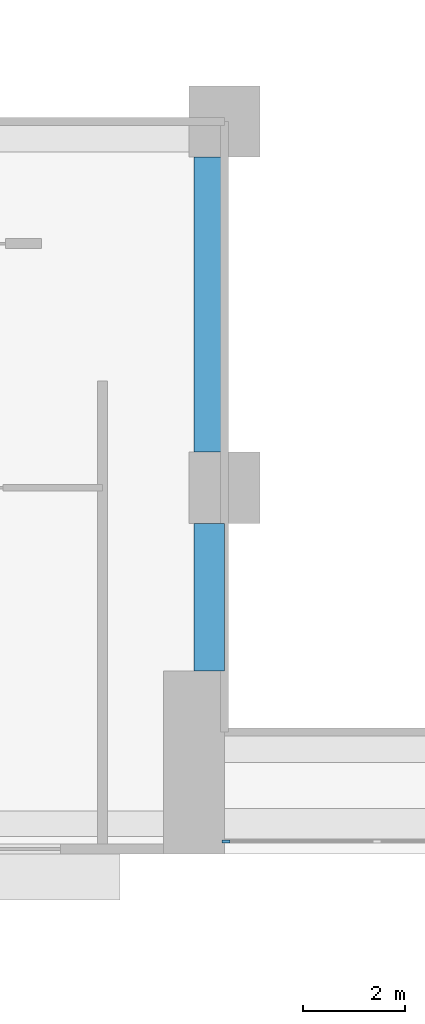
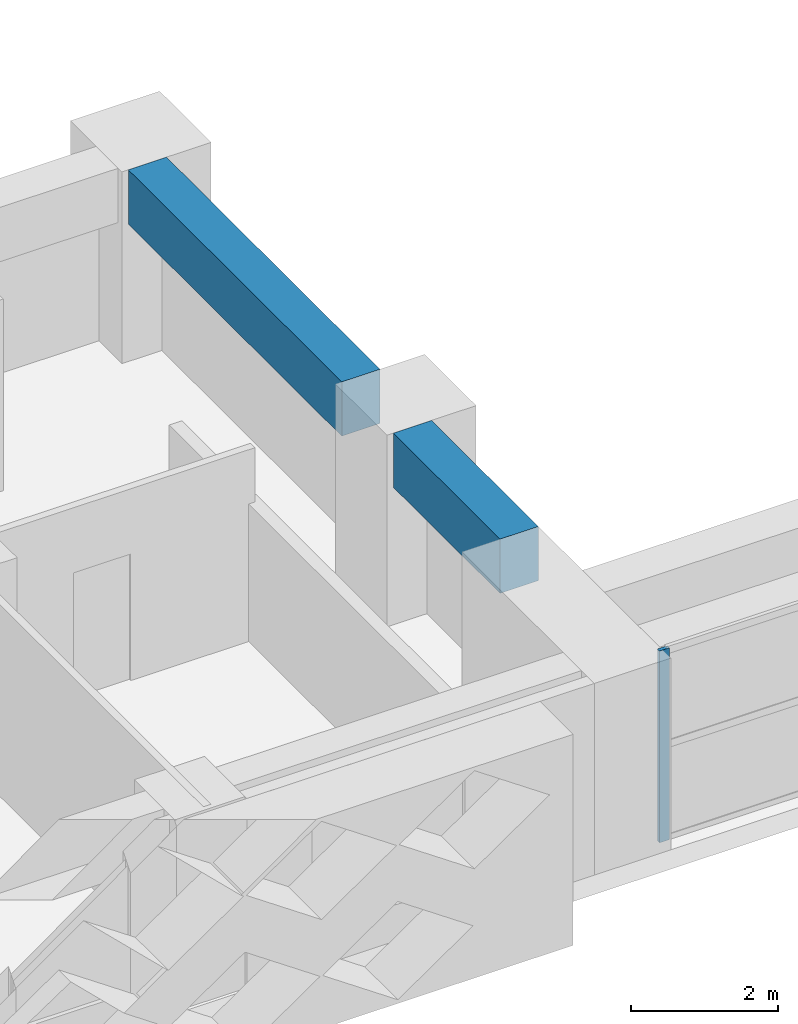
# One storey, part 2 of 16: 2 beams, 1 member, 1 element without a shape of its own.
"""IFC4 building model written with IfcOpenShell, lengths in metres."""

from ifc_helpers import new_model, si_unit, direction, frame, origin, origin_2d, place, context, subcontext, project, spatial, rectangle, extrude, source, transform, mapped, material, layer, layer_set, material_profile, profile_set, type_object, element, aggregate, save


model = new_model("IFC4")

# Units and contexts
model_context = context("Model", 3, precision=1e-05, world=origin(), true_north=direction((0.0, 1.0)))
body_context = subcontext(model_context, "Body", "Model", "MODEL_VIEW")
ifc_project = project(units=[si_unit("LENGTHUNIT", "METRE"), si_unit("AREAUNIT", "SQUARE_METRE"), si_unit("VOLUMEUNIT", "CUBIC_METRE"), si_unit("PLANEANGLEUNIT", "RADIAN"), si_unit("MASSUNIT", "GRAM", prefix="KILO")], contexts=[model_context])

# Site, building, storey
site_placement = place(None, origin())
site = spatial("IfcSite", under=ifc_project, at=site_placement, CompositionType="ELEMENT")
building_placement = place(site_placement, origin())
building = spatial("IfcBuilding", under=site, at=building_placement, Name="Saffron Iwan Residences", CompositionType="ELEMENT")
storey_placement = place(building_placement, frame((0.0, 0.0, 30.5)))
storey = spatial("IfcBuildingStorey", under=building, at=storey_placement, Name="L06", CompositionType="ELEMENT", Elevation=30.5)

# Beams
ifc_material_1 = material(Name="Concrete C60/75", Category="concrete")
ifc_material_profile_1 = material_profile(ifc_material_1, rectangle(XDim=0.60009765625, YDim=0.89990234375, at=origin_2d()), Name="RC 600x900")
ifc_profile_set_1 = profile_set([ifc_material_profile_1], Name="Concrete C60/75")
beam_type = type_object("IfcBeamType", Name="BEAM RC 600x900 C60/75 TOP 3180", PredefinedType="BEAM", material=ifc_profile_set_1)
shared_shape_1 = source(origin(), body_context, "Body", "SweptSolid", [
    extrude(rectangle(XDim=0.60009765625, YDim=0.89990234375, at=origin_2d()), origin(), (0.0, 0.0, 1.0), 2.900146484375),
])
beam_1_placement = place(storey_placement, frame((42.89990234375, 37.199951171875, 2.72998046875), z_axis=(0.0, 1.0, 0.0), x_axis=(-1.0, 0.0, 0.0)))
element("IfcBeam", 1, at=beam_1_placement, inside=storey, type_object=beam_type, Name="Atrium edge beam", PredefinedType="BEAM", context=body_context, shape_type="MappedRepresentation", body=[
    mapped(shared_shape_1, transform((0.0, 0.0, 0.0))),
])
shared_shape_2 = source(origin(), body_context, "Body", "SweptSolid", [
    extrude(rectangle(XDim=0.60009765625, YDim=0.89990234375, at=origin_2d()), origin(), (0.0, 0.0, 1.0), 5.800048828125),
])
beam_2_placement = place(storey_placement, frame((42.89990234375, 41.5, 2.72998046875), z_axis=(0.0, 1.0, 0.0), x_axis=(-1.0, 0.0, 0.0)))
element("IfcBeam", 2, at=beam_2_placement, inside=storey, type_object=beam_type, Name="Atrium edge beam", PredefinedType="BEAM", context=body_context, shape_type="MappedRepresentation", body=[
    mapped(shared_shape_2, transform((0.0, 0.0, 0.0))),
])

# Curtain wall, member
ifc_material_2 = material(Name="Clear glass, laminated double glazed", Category="glass")
ifc_layer = layer(ifc_material_2, 0.199951171875)
ifc_layer_set = layer_set([ifc_layer], Name="Clear glass, laminated double glazed")
curtain_wall_type = type_object("IfcCurtainWallType", Name="CW-B IWAN PORTAL", PredefinedType="NOTDEFINED", material=ifc_layer_set)
curtain_wall_placement = place(storey_placement, origin())
curtain_wall = element("IfcCurtainWall", 3, at=curtain_wall_placement, inside=storey, type_object=curtain_wall_type, Name="Iwan portal glazing L06.1", PredefinedType="NOTDEFINED")
ifc_material_3 = material(Name="Aluminium 6063-T6", Category="aluminium")
ifc_material_profile_2 = material_profile(ifc_material_3, rectangle(XDim=0.06005859375, YDim=0.159912109375, at=origin_2d()), Name="CW-B MULLION 60 x 160")
ifc_profile_set_2 = profile_set([ifc_material_profile_2], Name="Aluminium 6063-T6")
member_type = type_object("IfcMemberType", Name="CW-B MULLION 60 x 160", PredefinedType="MULLION", material=ifc_profile_set_2)
shared_shape_3 = source(origin(), body_context, "Body", "SweptSolid", [
    extrude(rectangle(XDim=0.06005859375, YDim=0.159912109375, at=origin_2d()), origin(), (0.0, 0.0, 1.0), 3.179931640625),
])
member_placement = place(storey_placement, frame((43.22998046875, 33.85009765625, 0.0), z_axis=(0.0, 0.0, 1.0), x_axis=(0.0, 1.0, 0.0)))
member = element("IfcMember", 4, at=member_placement, type_object=member_type, Name="CW-B mullion 1", PredefinedType="MULLION", context=body_context, shape_type="MappedRepresentation", body=[
    mapped(shared_shape_3, transform((0.0, 0.0, 0.0))),
])
aggregate(curtain_wall, [member])

save(model, "model.ifc")
